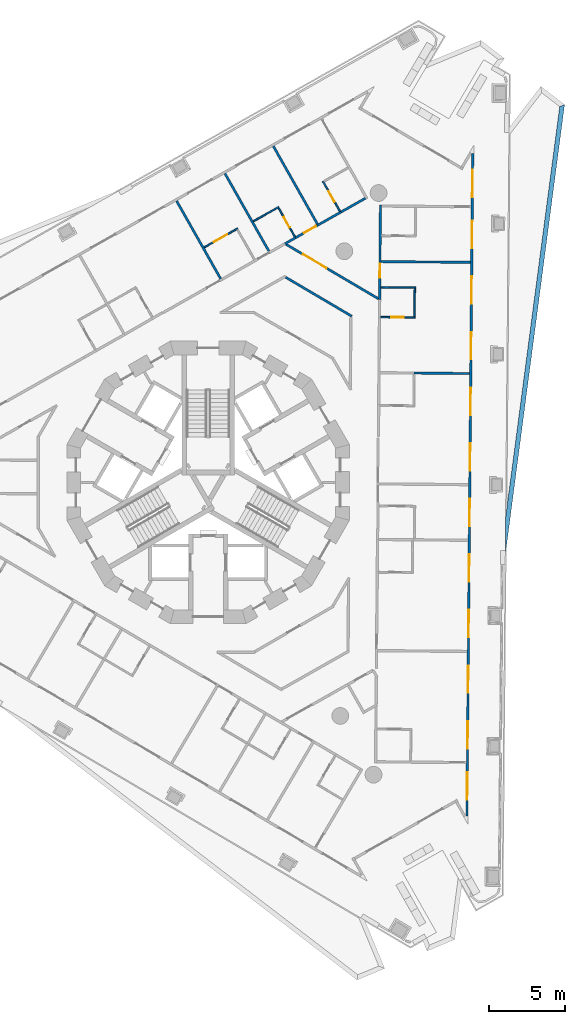
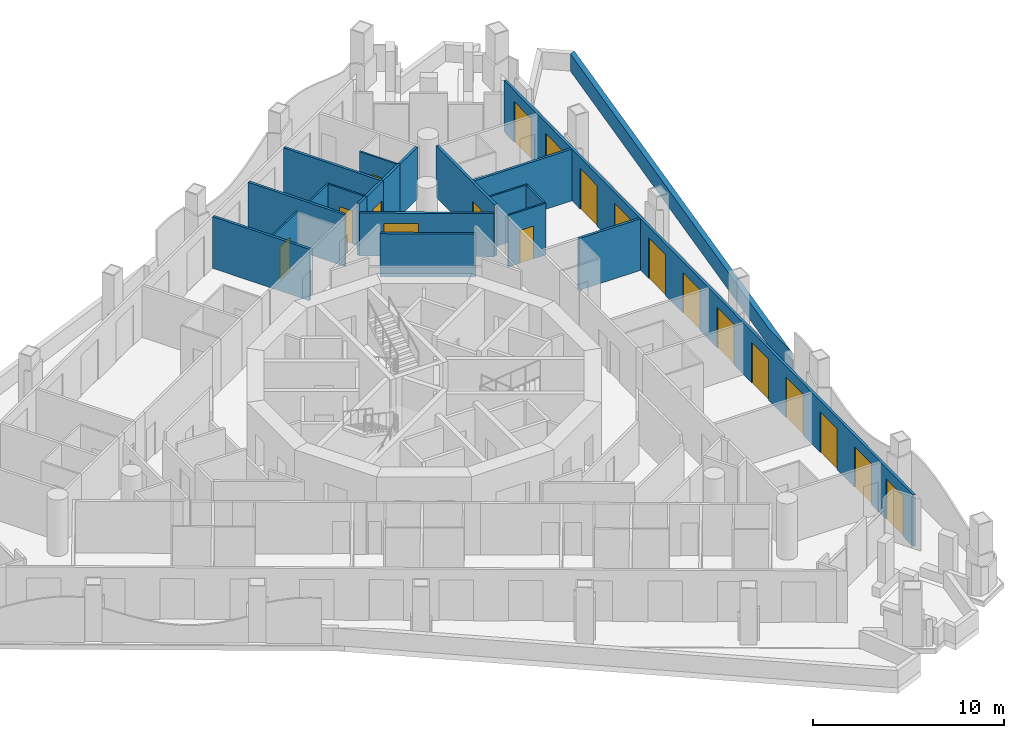
# One storey, part 9 of 18: 21 walls, 19 doors, 19 openings.
"""IFC4 building model written with IfcOpenShell, lengths in metres."""

from ifc_helpers import new_model, si_unit, direction, frame, frame_2d, origin, place, context, subcontext, project, spatial, polyline, rectangle, outline, extrude, material, layer, layer_set, type_object, element, fill, save


model = new_model("IFC4")

# Units and contexts
model_context = context("Model", 3, precision=1e-05, world=origin(), true_north=direction((0.0, 1.0)))
body_context = subcontext(model_context, "Body", "Model", "MODEL_VIEW")
ifc_project = project(units=[si_unit("LENGTHUNIT", "METRE"), si_unit("AREAUNIT", "SQUARE_METRE"), si_unit("VOLUMEUNIT", "CUBIC_METRE"), si_unit("PLANEANGLEUNIT", "RADIAN"), si_unit("MASSUNIT", "GRAM", prefix="KILO")], contexts=[model_context])

# Site, building, storey
site_placement = place(None, origin())
site = spatial("IfcSite", under=ifc_project, at=site_placement, CompositionType="ELEMENT")
building_placement = place(site_placement, origin())
building = spatial("IfcBuilding", under=site, at=building_placement, Name="Trine Commons Tower", CompositionType="ELEMENT")
storey_placement = place(building_placement, frame((0.0, 0.0, 161.10009765625)))
storey = spatial("IfcBuildingStorey", under=building, at=storey_placement, Name="L41", CompositionType="ELEMENT", Elevation=161.10009765625)

# Wall, openings, doors
ifc_material_1 = material(Name="Aluminium-framed insulated wall panel", Category="aluminium")
ifc_layer_1 = layer(ifc_material_1, 0.14990234375)
ifc_layer_set_1 = layer_set([ifc_layer_1], Name="Aluminium-framed insulated wall panel")
wall_type_1 = type_object("IfcWallType", Name="Glazed frame wall 150, EI 60", PredefinedType="SOLIDWALL", material=ifc_layer_set_1)
wall_1_placement = place(storey_placement, frame((97.36279296875, 84.232421875, 0.0), z_axis=(0.0, 0.0, 1.0), x_axis=(-0.00872447395, -0.999961941053, 0.0)))
wall_1 = element("IfcWall", 1, at=wall_1_placement, inside=storey, type_object=wall_type_1, Name="Glazed frame wall F2", PredefinedType="SOLIDWALL", context=body_context, shape_type="SweptSolid", body=[
    extrude(outline(polyline([(0.1494140625, 0.074951171875), (0.1494140625, -0.074951171875), (43.616943359375, -0.074951171875), (43.616943359375, 0.074951171875), (0.1494140625, 0.074951171875)])), origin(), (0.0, 0.0, 1.0), 3.2998046875),
])
opening_1_placement = place(wall_1_placement, frame((1.2236328125, 0.0, 0.0)))
opening_1 = element("IfcOpeningElement", 2, at=opening_1_placement, cuts=wall_1, Name="Opening BD-5F2-01", PredefinedType="OPENING", context=body_context, shape_type="SweptSolid", body=[
    extrude(rectangle(XDim=1.800048828125, YDim=2.60009765625, at=frame_2d((0.89990234375, 1.300048828125))), frame((0.0, 0.0849609375, 0.0), z_axis=(0.0, -1.0, 0.0), x_axis=(1.0, 0.0, 0.0)), (0.0, 0.0, 1.0), 0.169921875),
])
opening_2_placement = place(wall_1_placement, frame((4.57080078125, 0.0, 0.0)))
opening_2 = element("IfcOpeningElement", 3, at=opening_2_placement, cuts=wall_1, Name="Opening BD-5F2-02", PredefinedType="OPENING", context=body_context, shape_type="SweptSolid", body=[
    extrude(rectangle(XDim=1.800048828125, YDim=2.60009765625, at=frame_2d((0.89990234375, 1.300048828125))), frame((0.0, 0.0849609375, 0.0), z_axis=(0.0, -1.0, 0.0), x_axis=(1.0, 0.0, 0.0)), (0.0, 0.0, 1.0), 0.169921875),
])
opening_3_placement = place(wall_1_placement, frame((8.218017578125, 0.0, 0.0)))
opening_3 = element("IfcOpeningElement", 4, at=opening_3_placement, cuts=wall_1, Name="Opening BD-5F2-03", PredefinedType="OPENING", context=body_context, shape_type="SweptSolid", body=[
    extrude(rectangle(XDim=1.800048828125, YDim=2.60009765625, at=frame_2d((0.89990234375, 1.300048828125))), frame((0.0, 0.0849609375, 0.0), z_axis=(0.0, -1.0, 0.0), x_axis=(1.0, 0.0, 0.0)), (0.0, 0.0, 1.0), 0.169921875),
])
opening_4_placement = place(wall_1_placement, frame((11.865234375, 0.0, 0.0)))
opening_4 = element("IfcOpeningElement", 5, at=opening_4_placement, cuts=wall_1, Name="Opening BD-5F2-04", PredefinedType="OPENING", context=body_context, shape_type="SweptSolid", body=[
    extrude(rectangle(XDim=1.800048828125, YDim=2.60009765625, at=frame_2d((0.89990234375, 1.300048828125))), frame((0.0, 0.0849609375, 0.0), z_axis=(0.0, -1.0, 0.0), x_axis=(1.0, 0.0, 0.0)), (0.0, 0.0, 1.0), 0.169921875),
])
opening_5_placement = place(wall_1_placement, frame((15.512451171875, 0.0, 0.0)))
opening_5 = element("IfcOpeningElement", 6, at=opening_5_placement, cuts=wall_1, Name="Opening BD-5F2-05", PredefinedType="OPENING", context=body_context, shape_type="SweptSolid", body=[
    extrude(rectangle(XDim=1.800048828125, YDim=2.60009765625, at=frame_2d((0.89990234375, 1.300048828125))), frame((0.0, 0.0849609375, 0.0), z_axis=(0.0, -1.0, 0.0), x_axis=(1.0, 0.0, 0.0)), (0.0, 0.0, 1.0), 0.169921875),
])
opening_6_placement = place(wall_1_placement, frame((19.15966796875, 0.0, 0.0)))
opening_6 = element("IfcOpeningElement", 7, at=opening_6_placement, cuts=wall_1, Name="Opening BD-5F2-06", PredefinedType="OPENING", context=body_context, shape_type="SweptSolid", body=[
    extrude(rectangle(XDim=1.800048828125, YDim=2.60009765625, at=frame_2d((0.89990234375, 1.300048828125))), frame((0.0, 0.0849609375, 0.0), z_axis=(0.0, -1.0, 0.0), x_axis=(1.0, 0.0, 0.0)), (0.0, 0.0, 1.0), 0.169921875),
])
opening_7_placement = place(wall_1_placement, frame((22.806884765625, 0.0, 0.0)))
opening_7 = element("IfcOpeningElement", 8, at=opening_7_placement, cuts=wall_1, Name="Opening BD-5F2-07", PredefinedType="OPENING", context=body_context, shape_type="SweptSolid", body=[
    extrude(rectangle(XDim=1.800048828125, YDim=2.60009765625, at=frame_2d((0.89990234375, 1.300048828125))), frame((0.0, 0.0849609375, 0.0), z_axis=(0.0, -1.0, 0.0), x_axis=(1.0, 0.0, 0.0)), (0.0, 0.0, 1.0), 0.169921875),
])
opening_8_placement = place(wall_1_placement, frame((26.4541015625, 0.0, 0.0)))
opening_8 = element("IfcOpeningElement", 9, at=opening_8_placement, cuts=wall_1, Name="Opening BD-5F2-08", PredefinedType="OPENING", context=body_context, shape_type="SweptSolid", body=[
    extrude(rectangle(XDim=1.800048828125, YDim=2.60009765625, at=frame_2d((0.89990234375, 1.300048828125))), frame((0.0, 0.0849609375, 0.0), z_axis=(0.0, -1.0, 0.0), x_axis=(1.0, 0.0, 0.0)), (0.0, 0.0, 1.0), 0.169921875),
])
opening_9_placement = place(wall_1_placement, frame((30.101318359375, 0.0, 0.0)))
opening_9 = element("IfcOpeningElement", 10, at=opening_9_placement, cuts=wall_1, Name="Opening BD-5F2-09", PredefinedType="OPENING", context=body_context, shape_type="SweptSolid", body=[
    extrude(rectangle(XDim=1.800048828125, YDim=2.60009765625, at=frame_2d((0.89990234375, 1.300048828125))), frame((0.0, 0.0849609375, 0.0), z_axis=(0.0, -1.0, 0.0), x_axis=(1.0, 0.0, 0.0)), (0.0, 0.0, 1.0), 0.169921875),
])
opening_10_placement = place(wall_1_placement, frame((33.748291015625, 0.0, 0.0)))
opening_10 = element("IfcOpeningElement", 11, at=opening_10_placement, cuts=wall_1, Name="Opening BD-5F2-10", PredefinedType="OPENING", context=body_context, shape_type="SweptSolid", body=[
    extrude(rectangle(XDim=1.800048828125, YDim=2.60009765625, at=frame_2d((0.89990234375, 1.300048828125))), frame((0.0, 0.0849609375, 0.0), z_axis=(0.0, -1.0, 0.0), x_axis=(1.0, 0.0, 0.0)), (0.0, 0.0, 1.0), 0.169921875),
])
opening_11_placement = place(wall_1_placement, frame((37.3955078125, 0.0, 0.0)))
opening_11 = element("IfcOpeningElement", 12, at=opening_11_placement, cuts=wall_1, Name="Opening BD-5F2-11", PredefinedType="OPENING", context=body_context, shape_type="SweptSolid", body=[
    extrude(rectangle(XDim=1.800048828125, YDim=2.60009765625, at=frame_2d((0.89990234375, 1.300048828125))), frame((0.0, 0.0849609375, 0.0), z_axis=(0.0, -1.0, 0.0), x_axis=(1.0, 0.0, 0.0)), (0.0, 0.0, 1.0), 0.169921875),
])
opening_12_placement = place(wall_1_placement, frame((40.742919921875, 0.0, 0.0)))
opening_12 = element("IfcOpeningElement", 13, at=opening_12_placement, cuts=wall_1, Name="Opening BD-5F2-12", PredefinedType="OPENING", context=body_context, shape_type="SweptSolid", body=[
    extrude(rectangle(XDim=1.800048828125, YDim=2.60009765625, at=frame_2d((0.89990234375, 1.300048828125))), frame((0.0, 0.0849609375, 0.0), z_axis=(0.0, -1.0, 0.0), x_axis=(1.0, 0.0, 0.0)), (0.0, 0.0, 1.0), 0.169921875),
])
ifc_material_2 = material(Name="Anodised aluminium frame with double glazing", Category="aluminium")
door_type_1 = type_object("IfcDoorType", Name="Sliding loggia door 1800x2600", OperationType="SLIDING_TO_LEFT", PredefinedType="DOOR", material=ifc_material_2)
door_1_placement = place(opening_1_placement, origin())
door_1 = element("IfcDoor", 14, at=door_1_placement, inside=storey, type_object=door_type_1, Name="Loggia door F2 1", OperationType="SLIDING_TO_LEFT", OverallHeight=2.60009765625, OverallWidth=1.800048828125, PredefinedType="DOOR", context=body_context, shape_type="SweptSolid", body=[
    extrude(rectangle(XDim=1.800048828125, YDim=2.60009765625, at=frame_2d((0.89990234375, 1.300048828125))), frame((0.0, 0.02490234375, 0.0), z_axis=(0.0, -1.0, 0.0), x_axis=(1.0, 0.0, 0.0)), (0.0, 0.0, 1.0), 0.050048828125),
])
fill(opening_1, door_1)
door_2_placement = place(opening_2_placement, origin())
door_2 = element("IfcDoor", 15, at=door_2_placement, inside=storey, type_object=door_type_1, Name="Loggia door F2 2", OperationType="SLIDING_TO_LEFT", OverallHeight=2.60009765625, OverallWidth=1.800048828125, PredefinedType="DOOR", context=body_context, shape_type="SweptSolid", body=[
    extrude(rectangle(XDim=1.800048828125, YDim=2.60009765625, at=frame_2d((0.89990234375, 1.300048828125))), frame((0.0, 0.02490234375, 0.0), z_axis=(0.0, -1.0, 0.0), x_axis=(1.0, 0.0, 0.0)), (0.0, 0.0, 1.0), 0.050048828125),
])
fill(opening_2, door_2)
door_3_placement = place(opening_3_placement, origin())
door_3 = element("IfcDoor", 16, at=door_3_placement, inside=storey, type_object=door_type_1, Name="Loggia door F2 3", OperationType="SLIDING_TO_LEFT", OverallHeight=2.60009765625, OverallWidth=1.800048828125, PredefinedType="DOOR", context=body_context, shape_type="SweptSolid", body=[
    extrude(rectangle(XDim=1.800048828125, YDim=2.60009765625, at=frame_2d((0.89990234375, 1.300048828125))), frame((0.0, 0.02490234375, 0.0), z_axis=(0.0, -1.0, 0.0), x_axis=(1.0, 0.0, 0.0)), (0.0, 0.0, 1.0), 0.050048828125),
])
fill(opening_3, door_3)
door_4_placement = place(opening_4_placement, origin())
door_4 = element("IfcDoor", 17, at=door_4_placement, inside=storey, type_object=door_type_1, Name="Loggia door F2 4", OperationType="SLIDING_TO_LEFT", OverallHeight=2.60009765625, OverallWidth=1.800048828125, PredefinedType="DOOR", context=body_context, shape_type="SweptSolid", body=[
    extrude(rectangle(XDim=1.800048828125, YDim=2.60009765625, at=frame_2d((0.89990234375, 1.300048828125))), frame((0.0, 0.02490234375, 0.0), z_axis=(0.0, -1.0, 0.0), x_axis=(1.0, 0.0, 0.0)), (0.0, 0.0, 1.0), 0.050048828125),
])
fill(opening_4, door_4)
door_5_placement = place(opening_5_placement, origin())
door_5 = element("IfcDoor", 18, at=door_5_placement, inside=storey, type_object=door_type_1, Name="Loggia door F2 5", OperationType="SLIDING_TO_LEFT", OverallHeight=2.60009765625, OverallWidth=1.800048828125, PredefinedType="DOOR", context=body_context, shape_type="SweptSolid", body=[
    extrude(rectangle(XDim=1.800048828125, YDim=2.60009765625, at=frame_2d((0.89990234375, 1.300048828125))), frame((0.0, 0.02490234375, 0.0), z_axis=(0.0, -1.0, 0.0), x_axis=(1.0, 0.0, 0.0)), (0.0, 0.0, 1.0), 0.050048828125),
])
fill(opening_5, door_5)
door_6_placement = place(opening_6_placement, origin())
door_6 = element("IfcDoor", 19, at=door_6_placement, inside=storey, type_object=door_type_1, Name="Loggia door F2 6", OperationType="SLIDING_TO_LEFT", OverallHeight=2.60009765625, OverallWidth=1.800048828125, PredefinedType="DOOR", context=body_context, shape_type="SweptSolid", body=[
    extrude(rectangle(XDim=1.800048828125, YDim=2.60009765625, at=frame_2d((0.89990234375, 1.300048828125))), frame((0.0, 0.02490234375, 0.0), z_axis=(0.0, -1.0, 0.0), x_axis=(1.0, 0.0, 0.0)), (0.0, 0.0, 1.0), 0.050048828125),
])
fill(opening_6, door_6)
door_7_placement = place(opening_7_placement, origin())
door_7 = element("IfcDoor", 20, at=door_7_placement, inside=storey, type_object=door_type_1, Name="Loggia door F2 7", OperationType="SLIDING_TO_LEFT", OverallHeight=2.60009765625, OverallWidth=1.800048828125, PredefinedType="DOOR", context=body_context, shape_type="SweptSolid", body=[
    extrude(rectangle(XDim=1.800048828125, YDim=2.60009765625, at=frame_2d((0.89990234375, 1.300048828125))), frame((0.0, 0.02490234375, 0.0), z_axis=(0.0, -1.0, 0.0), x_axis=(1.0, 0.0, 0.0)), (0.0, 0.0, 1.0), 0.050048828125),
])
fill(opening_7, door_7)
door_8_placement = place(opening_8_placement, origin())
door_8 = element("IfcDoor", 21, at=door_8_placement, inside=storey, type_object=door_type_1, Name="Loggia door F2 8", OperationType="SLIDING_TO_LEFT", OverallHeight=2.60009765625, OverallWidth=1.800048828125, PredefinedType="DOOR", context=body_context, shape_type="SweptSolid", body=[
    extrude(rectangle(XDim=1.800048828125, YDim=2.60009765625, at=frame_2d((0.89990234375, 1.300048828125))), frame((0.0, 0.02490234375, 0.0), z_axis=(0.0, -1.0, 0.0), x_axis=(1.0, 0.0, 0.0)), (0.0, 0.0, 1.0), 0.050048828125),
])
fill(opening_8, door_8)
door_9_placement = place(opening_9_placement, origin())
door_9 = element("IfcDoor", 22, at=door_9_placement, inside=storey, type_object=door_type_1, Name="Loggia door F2 9", OperationType="SLIDING_TO_LEFT", OverallHeight=2.60009765625, OverallWidth=1.800048828125, PredefinedType="DOOR", context=body_context, shape_type="SweptSolid", body=[
    extrude(rectangle(XDim=1.800048828125, YDim=2.60009765625, at=frame_2d((0.89990234375, 1.300048828125))), frame((0.0, 0.02490234375, 0.0), z_axis=(0.0, -1.0, 0.0), x_axis=(1.0, 0.0, 0.0)), (0.0, 0.0, 1.0), 0.050048828125),
])
fill(opening_9, door_9)
door_10_placement = place(opening_10_placement, origin())
door_10 = element("IfcDoor", 23, at=door_10_placement, inside=storey, type_object=door_type_1, Name="Loggia door F2 10", OperationType="SLIDING_TO_LEFT", OverallHeight=2.60009765625, OverallWidth=1.800048828125, PredefinedType="DOOR", context=body_context, shape_type="SweptSolid", body=[
    extrude(rectangle(XDim=1.800048828125, YDim=2.60009765625, at=frame_2d((0.89990234375, 1.300048828125))), frame((0.0, 0.02490234375, 0.0), z_axis=(0.0, -1.0, 0.0), x_axis=(1.0, 0.0, 0.0)), (0.0, 0.0, 1.0), 0.050048828125),
])
fill(opening_10, door_10)
door_11_placement = place(opening_11_placement, origin())
door_11 = element("IfcDoor", 24, at=door_11_placement, inside=storey, type_object=door_type_1, Name="Loggia door F2 11", OperationType="SLIDING_TO_LEFT", OverallHeight=2.60009765625, OverallWidth=1.800048828125, PredefinedType="DOOR", context=body_context, shape_type="SweptSolid", body=[
    extrude(rectangle(XDim=1.800048828125, YDim=2.60009765625, at=frame_2d((0.89990234375, 1.300048828125))), frame((0.0, 0.02490234375, 0.0), z_axis=(0.0, -1.0, 0.0), x_axis=(1.0, 0.0, 0.0)), (0.0, 0.0, 1.0), 0.050048828125),
])
fill(opening_11, door_11)
door_12_placement = place(opening_12_placement, origin())
door_12 = element("IfcDoor", 25, at=door_12_placement, inside=storey, type_object=door_type_1, Name="Loggia door F2 12", OperationType="SLIDING_TO_LEFT", OverallHeight=2.60009765625, OverallWidth=1.800048828125, PredefinedType="DOOR", context=body_context, shape_type="SweptSolid", body=[
    extrude(rectangle(XDim=1.800048828125, YDim=2.60009765625, at=frame_2d((0.89990234375, 1.300048828125))), frame((0.0, 0.02490234375, 0.0), z_axis=(0.0, -1.0, 0.0), x_axis=(1.0, 0.0, 0.0)), (0.0, 0.0, 1.0), 0.050048828125),
])
fill(opening_12, door_12)

# Walls
ifc_material_3 = material(Name="Limestone, honed", Category="masonry")
ifc_layer_2 = layer(ifc_material_3, 0.300048828125)
ifc_layer_set_2 = layer_set([ifc_layer_2], Name="Limestone, honed")
wall_type_2 = type_object("IfcWallType", Name="Stone parapet 300", PredefinedType="PARAPET", material=ifc_layer_set_2)
wall_2_placement = place(storey_placement, origin())
element("IfcWall", 26, at=wall_2_placement, inside=storey, type_object=wall_type_2, Name="Sliver roof parapet L40 6.1", PredefinedType="PARAPET", context=body_context, shape_type="SweptSolid", body=[
    extrude(outline(polyline([(99.49658203125, 57.7236328125), (103.38916015625, 87.291015625), (103.069091796875, 87.158447265625), (99.51806640625, 60.185302734375), (99.51806640625, 60.185302734375), (99.49658203125, 57.7236328125)])), origin(), (0.0, 0.0, 1.0), 1.099853515625),
])
ifc_material_4 = material(Name="Gypsum plasterboard on steel stud", Category="steel")
ifc_layer_3 = layer(ifc_material_4, 0.14990234375)
ifc_layer_set_3 = layer_set([ifc_layer_3], Name="Gypsum plasterboard on steel stud")
wall_type_3 = type_object("IfcWallType", Name="Unit and corridor wall 150 mm, EI 60", PredefinedType="PARTITIONING", material=ifc_layer_set_3)
wall_3_placement = place(storey_placement, frame((77.9296875, 80.97314453125, 0.0), z_axis=(0.0, 0.0, 1.0), x_axis=(0.4923790567, -0.870380873252, 0.0)))
element("IfcWall", 27, at=wall_3_placement, inside=storey, type_object=wall_type_3, Name="Partition 062", PredefinedType="PARTITIONING", context=body_context, shape_type="SweptSolid", body=[
    extrude(rectangle(XDim=5.874267578125, YDim=0.14990234375, at=frame_2d((2.93701171875, 0.0))), origin(), (0.0, 0.0, 1.0), 3.2998046875),
])
wall_4_placement = place(storey_placement, frame((81.103759765625, 82.769287109375, 0.0), z_axis=(0.0, 0.0, 1.0), x_axis=(0.492361245758, -0.870390948756, 0.0)))
element("IfcWall", 28, at=wall_4_placement, inside=storey, type_object=wall_type_3, Name="Partition 072", PredefinedType="PARTITIONING", context=body_context, shape_type="SweptSolid", body=[
    extrude(rectangle(XDim=5.87451171875, YDim=0.14990234375, at=frame_2d((2.937255859375, 0.0))), origin(), (0.0, 0.0, 1.0), 3.2998046875),
])
wall_5_placement = place(storey_placement, frame((84.27880859375, 84.565185546875, 0.0), z_axis=(0.0, 0.0, 1.0), x_axis=(0.4923790567, -0.870380873252, 0.0)))
element("IfcWall", 29, at=wall_5_placement, inside=storey, type_object=wall_type_3, Name="Partition 082", PredefinedType="PARTITIONING", context=body_context, shape_type="SweptSolid", body=[
    extrude(rectangle(XDim=5.874267578125, YDim=0.14990234375, at=frame_2d((2.93701171875, 0.0))), origin(), (0.0, 0.0, 1.0), 3.2998046875),
])
wall_6_placement = place(storey_placement, frame((85.089599609375, 75.9599609375, 0.0), z_axis=(0.0, 0.0, 1.0), x_axis=(0.861605399292, -0.507578699229, 0.0)))
element("IfcWall", 30, at=wall_6_placement, inside=storey, type_object=wall_type_3, Name="Partition 087", PredefinedType="PARTITIONING", context=body_context, shape_type="SweptSolid", body=[
    extrude(rectangle(XDim=5.041748046875, YDim=0.14990234375, at=frame_2d((2.52099609375, 0.0))), origin(), (0.0, 0.0, 1.0), 2.75),
])
wall_7_placement = place(storey_placement, frame((85.0439453125, 78.1630859375, 0.0), z_axis=(0.0, 0.0, 1.0), x_axis=(0.870602999544, 0.491986196133, 0.0)))
element("IfcWall", 31, at=wall_7_placement, inside=storey, type_object=wall_type_3, Name="Partition 088", PredefinedType="PARTITIONING", context=body_context, shape_type="SweptSolid", body=[
    extrude(rectangle(XDim=0.79248046875, YDim=0.14990234375, at=frame_2d((0.396240234375, 0.0))), origin(), (0.0, 0.0, 1.0), 3.2998046875),
])

# Wall, opening, door
wall_8_placement = place(storey_placement, frame((85.108642578125, 78.125, 0.0), z_axis=(0.0, 0.0, 1.0), x_axis=(0.861598717736, -0.507590040875, 0.0)))
wall_8 = element("IfcWall", 32, at=wall_8_placement, inside=storey, type_object=wall_type_3, Name="Partition 089", PredefinedType="PARTITIONING", context=body_context, shape_type="SweptSolid", body=[
    extrude(rectangle(XDim=7.056396484375, YDim=0.14990234375, at=frame_2d((3.5283203125, 0.0))), origin(), (0.0, 0.0, 1.0), 2.75),
])
opening_13_placement = place(wall_8_placement, frame((1.29296875, 0.0, 0.0)))
opening_13 = element("IfcOpeningElement", 33, at=opening_13_placement, cuts=wall_8, Name="Opening D-5A01", PredefinedType="OPENING", context=body_context, shape_type="SweptSolid", body=[
    extrude(rectangle(XDim=1.800048828125, YDim=2.10009765625, at=frame_2d((0.89990234375, 1.050048828125))), frame((0.0, 0.0849609375, 0.0), z_axis=(0.0, -1.0, 0.0), x_axis=(1.0, 0.0, 0.0)), (0.0, 0.0, 1.0), 0.169921875),
])
ifc_material_5 = material(Name="Timber fire door set", Category="wood")
door_type_2 = type_object("IfcDoorType", Name="Cluster entrance door 1800 x 2100, double leaf, FD30S", OperationType="DOUBLE_DOOR_DOUBLE_SWING", PredefinedType="DOOR", material=ifc_material_5)
door_13_placement = place(opening_13_placement, origin())
door_13 = element("IfcDoor", 34, at=door_13_placement, inside=storey, type_object=door_type_2, Name="Door D-5A01", OperationType="DOUBLE_DOOR_DOUBLE_SWING", OverallHeight=2.10009765625, OverallWidth=1.800048828125, PredefinedType="DOOR", context=body_context, shape_type="SweptSolid", body=[
    extrude(rectangle(XDim=1.800048828125, YDim=2.10009765625, at=frame_2d((0.89990234375, 1.050048828125))), frame((0.0, 0.02490234375, 0.0), z_axis=(0.0, -1.0, 0.0), x_axis=(1.0, 0.0, 0.0)), (0.0, 0.0, 1.0), 0.050048828125),
])
fill(opening_13, door_13)

wall_9_placement = place(storey_placement, frame((85.72802734375, 78.550048828125, 0.0), z_axis=(0.0, 0.0, 1.0), x_axis=(0.870461194111, 0.492237046093, 0.0)))
wall_9 = element("IfcWall", 35, at=wall_9_placement, inside=storey, type_object=wall_type_3, Name="Partition 090", PredefinedType="PARTITIONING", context=body_context, shape_type="SweptSolid", body=[
    extrude(rectangle(XDim=1.7001953125, YDim=0.14990234375, at=frame_2d((0.85009765625, 0.0))), origin(), (0.0, 0.0, 1.0), 3.2998046875),
])
opening_14_placement = place(wall_9_placement, frame((0.650146484375, 0.0, 0.0)))
opening_14 = element("IfcOpeningElement", 36, at=opening_14_placement, cuts=wall_9, Name="Opening D-5A11", PredefinedType="OPENING", context=body_context, shape_type="SweptSolid", body=[
    extrude(rectangle(XDim=0.89990234375, YDim=2.10009765625, at=frame_2d((0.449951171875, 1.050048828125))), frame((0.0, 0.0849609375, 0.0), z_axis=(0.0, -1.0, 0.0), x_axis=(1.0, 0.0, 0.0)), (0.0, 0.0, 1.0), 0.169921875),
])
door_type_3 = type_object("IfcDoorType", Name="Bedroom door 900 x 2100, FD30S", OperationType="NOTDEFINED", PredefinedType="DOOR", material=ifc_material_5)
door_14_placement = place(opening_14_placement, origin())
door_14 = element("IfcDoor", 37, at=door_14_placement, inside=storey, type_object=door_type_3, Name="Door D-5A11", OperationType="SINGLE_SWING_RIGHT", OverallHeight=2.10009765625, OverallWidth=0.89990234375, PredefinedType="DOOR", context=body_context, shape_type="SweptSolid", body=[
    extrude(rectangle(XDim=0.89990234375, YDim=2.10009765625, at=frame_2d((0.449951171875, 1.050048828125))), frame((0.0, 0.02490234375, 0.0), z_axis=(0.0, -1.0, 0.0), x_axis=(1.0, 0.0, 0.0)), (0.0, 0.0, 1.0), 0.050048828125),
])
fill(opening_14, door_14)

# Walls
wall_10_placement = place(storey_placement, frame((87.2080078125, 79.386962890625, 0.0), z_axis=(0.0, 0.0, 1.0), x_axis=(0.87020157879, 0.492695861837, 0.0)))
element("IfcWall", 38, at=wall_10_placement, inside=storey, type_object=wall_type_3, Name="Partition 095", PredefinedType="PARTITIONING", context=body_context, shape_type="SweptSolid", body=[
    extrude(rectangle(XDim=1.750732421875, YDim=0.14990234375, at=frame_2d((0.87548828125, 0.0))), origin(), (0.0, 0.0, 1.0), 3.2998046875),
])
wall_11_placement = place(storey_placement, frame((88.681884765625, 80.220947265625, 0.0), z_axis=(0.0, 0.0, 1.0), x_axis=(0.870323079534, 0.492481204951, 0.0)))
element("IfcWall", 39, at=wall_11_placement, inside=storey, type_object=wall_type_3, Name="Partition 103", PredefinedType="PARTITIONING", context=body_context, shape_type="SweptSolid", body=[
    extrude(rectangle(XDim=1.87841796875, YDim=0.14990234375, at=frame_2d((0.939208984375, 0.0))), origin(), (0.0, 0.0, 1.0), 3.2998046875),
])

# Wall, opening, door
wall_12_placement = place(storey_placement, frame((91.2529296875, 74.5048828125, 0.0), z_axis=(0.0, 0.0, 1.0), x_axis=(0.008808844939, 0.999961201373, 0.0)))
wall_12 = element("IfcWall", 40, at=wall_12_placement, inside=storey, type_object=wall_type_3, Name="Partition 128", PredefinedType="PARTITIONING", context=body_context, shape_type="SweptSolid", body=[
    extrude(rectangle(XDim=6.208251953125, YDim=0.14990234375, at=frame_2d((3.10400390625, 0.0))), origin(), (0.0, 0.0, 1.0), 3.2998046875),
])
opening_15_placement = place(wall_12_placement, frame((1.43603515625, 0.0, 0.0)))
opening_15 = element("IfcOpeningElement", 41, at=opening_15_placement, cuts=wall_12, Name="Opening D-5A14", PredefinedType="OPENING", context=body_context, shape_type="SweptSolid", body=[
    extrude(rectangle(XDim=0.89990234375, YDim=2.10009765625, at=frame_2d((0.449951171875, 1.050048828125))), frame((0.0, 0.0849609375, 0.0), z_axis=(0.0, -1.0, 0.0), x_axis=(1.0, 0.0, 0.0)), (0.0, 0.0, 1.0), 0.169921875),
])
door_15_placement = place(opening_15_placement, frame((0.89990234375, 0.0, 0.0), z_axis=(0.0, 0.0, 1.0), x_axis=(-1.0, 0.0, 0.0)))
door_15 = element("IfcDoor", 42, at=door_15_placement, inside=storey, type_object=door_type_3, Name="Door D-5A14", OperationType="SINGLE_SWING_RIGHT", OverallHeight=2.10009765625, OverallWidth=0.89990234375, PredefinedType="DOOR", context=body_context, shape_type="SweptSolid", body=[
    extrude(rectangle(XDim=0.89990234375, YDim=2.10009765625, at=frame_2d((0.449951171875, 1.050048828125))), frame((0.0, 0.02490234375, 0.0), z_axis=(0.0, -1.0, 0.0), x_axis=(1.0, 0.0, 0.0)), (0.0, 0.0, 1.0), 0.050048828125),
])
fill(opening_15, door_15)

# Walls
wall_13_placement = place(storey_placement, frame((91.35009765625, 76.990234375, 0.0), z_axis=(0.0, 0.0, 1.0), x_axis=(0.999962273479, -0.008686289076, 0.0)))
element("IfcWall", 43, at=wall_13_placement, inside=storey, type_object=wall_type_3, Name="Partition 130", PredefinedType="PARTITIONING", context=body_context, shape_type="SweptSolid", body=[
    extrude(rectangle(XDim=5.874267578125, YDim=0.14990234375, at=frame_2d((2.93701171875, 0.0))), origin(), (0.0, 0.0, 1.0), 3.2998046875),
])
wall_14_placement = place(storey_placement, frame((93.4609375, 69.677490234375, 0.0), z_axis=(0.0, 0.0, 1.0), x_axis=(0.999959736668, -0.008973574674, 0.0)))
element("IfcWall", 44, at=wall_14_placement, inside=storey, type_object=wall_type_3, Name="Partition 136", PredefinedType="PARTITIONING", context=body_context, shape_type="SweptSolid", body=[
    extrude(rectangle(XDim=3.7001953125, YDim=0.14990234375, at=frame_2d((1.85009765625, 0.0))), origin(), (0.0, 0.0, 1.0), 3.2998046875),
])

# Wall, opening, door
ifc_layer_4 = layer(ifc_material_4, 0.10009765625)
ifc_layer_set_4 = layer_set([ifc_layer_4], Name="Gypsum plasterboard on steel stud")
wall_type_4 = type_object("IfcWallType", Name="Unit partition 100 mm, no rating", PredefinedType="PARTITIONING", material=ifc_layer_set_4)
wall_15_placement = place(storey_placement, frame((79.7421875, 77.9208984375, 0.0), z_axis=(0.0, 0.0, 1.0), x_axis=(0.870364731179, 0.49240759003, 0.0)))
wall_15 = element("IfcWall", 45, at=wall_15_placement, inside=storey, type_object=wall_type_4, Name="Partition 063", PredefinedType="PARTITIONING", context=body_context, shape_type="SweptSolid", body=[
    extrude(rectangle(XDim=2.525634765625, YDim=0.10009765625, at=frame_2d((1.2626953125, 0.0))), origin(), (0.0, 0.0, 1.0), 3.2998046875),
])
opening_16_placement = place(wall_15_placement, frame((0.73779296875, 0.0, 0.0)))
opening_16 = element("IfcOpeningElement", 46, at=opening_16_placement, cuts=wall_15, Name="Opening D-5A35", PredefinedType="OPENING", context=body_context, shape_type="SweptSolid", body=[
    extrude(rectangle(XDim=1.0, YDim=2.10009765625, at=frame_2d((0.5, 1.050048828125))), frame((0.0, 0.06005859375, 0.0), z_axis=(0.0, -1.0, 0.0), x_axis=(1.0, 0.0, 0.0)), (0.0, 0.0, 1.0), 0.1201171875),
])
ifc_material_6 = material(Name="Painted timber", Category="wood")
door_type_4 = type_object("IfcDoorType", Name="Internal door 1000 x 2100, NOT RATED", OperationType="NOTDEFINED", PredefinedType="DOOR", material=ifc_material_6)
door_16_placement = place(opening_16_placement, origin())
door_16 = element("IfcDoor", 47, at=door_16_placement, inside=storey, type_object=door_type_4, Name="Door D-5A35", OperationType="SINGLE_SWING_LEFT", OverallHeight=2.10009765625, OverallWidth=1.0, PredefinedType="DOOR", context=body_context, shape_type="SweptSolid", body=[
    extrude(rectangle(XDim=1.0, YDim=2.10009765625, at=frame_2d((0.5, 1.050048828125))), frame((0.0, 0.02490234375, 0.0), z_axis=(0.0, -1.0, 0.0), x_axis=(1.0, 0.0, 0.0)), (0.0, 0.0, 1.0), 0.050048828125),
])
fill(opening_16, door_16)

# Wall
wall_16_placement = place(storey_placement, frame((82.96630859375, 79.6298828125, 0.0), z_axis=(0.0, 0.0, 1.0), x_axis=(0.870373787042, 0.492391582818, 0.0)))
element("IfcWall", 48, at=wall_16_placement, inside=storey, type_object=wall_type_4, Name="Partition 077", PredefinedType="PARTITIONING", context=body_context, shape_type="SweptSolid", body=[
    extrude(rectangle(XDim=1.9248046875, YDim=0.10009765625, at=frame_2d((0.96240234375, 0.0))), origin(), (0.0, 0.0, 1.0), 3.2998046875),
])

# Wall, opening, door
wall_17_placement = place(storey_placement, frame((84.62255859375, 80.509521484375, 0.0), z_axis=(0.0, 0.0, 1.0), x_axis=(0.492545299704, -0.870286807748, 0.0)))
wall_17 = element("IfcWall", 49, at=wall_17_placement, inside=storey, type_object=wall_type_4, Name="Partition 084", PredefinedType="PARTITIONING", context=body_context, shape_type="SweptSolid", body=[
    extrude(rectangle(XDim=2.175537109375, YDim=0.10009765625, at=frame_2d((1.087890625, 0.0))), origin(), (0.0, 0.0, 1.0), 3.2998046875),
])
opening_17_placement = place(wall_17_placement, frame((0.6875, 0.0, 0.0)))
opening_17 = element("IfcOpeningElement", 50, at=opening_17_placement, cuts=wall_17, Name="Opening D-5A36", PredefinedType="OPENING", context=body_context, shape_type="SweptSolid", body=[
    extrude(rectangle(XDim=0.800048828125, YDim=2.10009765625, at=frame_2d((0.39990234375, 1.050048828125))), frame((0.0, 0.06005859375, 0.0), z_axis=(0.0, -1.0, 0.0), x_axis=(1.0, 0.0, 0.0)), (0.0, 0.0, 1.0), 0.1201171875),
])
door_type_5 = type_object("IfcDoorType", Name="Internal door 800 x 2100, NOT RATED", OperationType="NOTDEFINED", PredefinedType="DOOR", material=ifc_material_6)
door_17_placement = place(opening_17_placement, origin())
door_17 = element("IfcDoor", 51, at=door_17_placement, inside=storey, type_object=door_type_5, Name="Door D-5A36", OperationType="SINGLE_SWING_LEFT", OverallHeight=2.10009765625, OverallWidth=0.800048828125, PredefinedType="DOOR", context=body_context, shape_type="SweptSolid", body=[
    extrude(rectangle(XDim=0.800048828125, YDim=2.10009765625, at=frame_2d((0.39990234375, 1.050048828125))), frame((0.0, 0.02490234375, 0.0), z_axis=(0.0, -1.0, 0.0), x_axis=(1.0, 0.0, 0.0)), (0.0, 0.0, 1.0), 0.050048828125),
])
fill(opening_17, door_17)

wall_18_placement = place(storey_placement, frame((87.52734375, 82.267578125, 0.0), z_axis=(0.0, 0.0, 1.0), x_axis=(0.492690247552, -0.870204757495, 0.0)))
wall_18 = element("IfcWall", 52, at=wall_18_placement, inside=storey, type_object=wall_type_4, Name="Partition 097", PredefinedType="PARTITIONING", context=body_context, shape_type="SweptSolid", body=[
    extrude(rectangle(XDim=2.2744140625, YDim=0.10009765625, at=frame_2d((1.13720703125, 0.0))), origin(), (0.0, 0.0, 1.0), 3.2998046875),
])
opening_18_placement = place(wall_18_placement, frame((0.76220703125, 0.0, 0.0)))
opening_18 = element("IfcOpeningElement", 53, at=opening_18_placement, cuts=wall_18, Name="Opening D-5A37", PredefinedType="OPENING", context=body_context, shape_type="SweptSolid", body=[
    extrude(rectangle(XDim=0.800048828125, YDim=2.10009765625, at=frame_2d((0.39990234375, 1.050048828125))), frame((0.0, 0.06005859375, 0.0), z_axis=(0.0, -1.0, 0.0), x_axis=(1.0, 0.0, 0.0)), (0.0, 0.0, 1.0), 0.1201171875),
])
door_18_placement = place(opening_18_placement, frame((0.800048828125, 0.0, 0.0), z_axis=(0.0, 0.0, 1.0), x_axis=(-1.0, 0.0, 0.0)))
door_18 = element("IfcDoor", 54, at=door_18_placement, inside=storey, type_object=door_type_5, Name="Door D-5A37", OperationType="SINGLE_SWING_LEFT", OverallHeight=2.10009765625, OverallWidth=0.800048828125, PredefinedType="DOOR", context=body_context, shape_type="SweptSolid", body=[
    extrude(rectangle(XDim=0.800048828125, YDim=2.10009765625, at=frame_2d((0.39990234375, 1.050048828125))), frame((0.0, 0.02490234375, 0.0), z_axis=(0.0, -1.0, 0.0), x_axis=(1.0, 0.0, 0.0)), (0.0, 0.0, 1.0), 0.050048828125),
])
fill(opening_18, door_18)

wall_19_placement = place(storey_placement, frame((91.318115234375, 73.34326171875, 0.0), z_axis=(0.0, 0.0, 1.0), x_axis=(0.999962219299, -0.008692524121, 0.0)))
wall_19 = element("IfcWall", 55, at=wall_19_placement, inside=storey, type_object=wall_type_4, Name="Partition 127", PredefinedType="PARTITIONING", context=body_context, shape_type="SweptSolid", body=[
    extrude(rectangle(XDim=2.27490234375, YDim=0.10009765625, at=frame_2d((1.137451171875, 0.0))), origin(), (0.0, 0.0, 1.0), 3.2998046875),
])
opening_19_placement = place(wall_19_placement, frame((0.71240234375, 0.0, 0.0)))
opening_19 = element("IfcOpeningElement", 56, at=opening_19_placement, cuts=wall_19, Name="Opening D-5A39", PredefinedType="OPENING", context=body_context, shape_type="SweptSolid", body=[
    extrude(rectangle(XDim=0.800048828125, YDim=2.10009765625, at=frame_2d((0.39990234375, 1.050048828125))), frame((0.0, 0.06005859375, 0.0), z_axis=(0.0, -1.0, 0.0), x_axis=(1.0, 0.0, 0.0)), (0.0, 0.0, 1.0), 0.1201171875),
])
door_19_placement = place(opening_19_placement, frame((0.800048828125, 0.0, 0.0), z_axis=(0.0, 0.0, 1.0), x_axis=(-1.0, 0.0, 0.0)))
door_19 = element("IfcDoor", 57, at=door_19_placement, inside=storey, type_object=door_type_5, Name="Door D-5A39", OperationType="SINGLE_SWING_RIGHT", OverallHeight=2.10009765625, OverallWidth=0.800048828125, PredefinedType="DOOR", context=body_context, shape_type="SweptSolid", body=[
    extrude(rectangle(XDim=0.800048828125, YDim=2.10009765625, at=frame_2d((0.39990234375, 1.050048828125))), frame((0.0, 0.02490234375, 0.0), z_axis=(0.0, -1.0, 0.0), x_axis=(1.0, 0.0, 0.0)), (0.0, 0.0, 1.0), 0.050048828125),
])
fill(opening_19, door_19)

# Walls
wall_20_placement = place(storey_placement, frame((91.3349609375, 75.293212890625, 0.0), z_axis=(0.0, 0.0, 1.0), x_axis=(0.999963154254, -0.008584295776, 0.0)))
element("IfcWall", 58, at=wall_20_placement, inside=storey, type_object=wall_type_4, Name="Partition 129", PredefinedType="PARTITIONING", context=body_context, shape_type="SweptSolid", body=[
    extrude(rectangle(XDim=2.275146484375, YDim=0.10009765625, at=frame_2d((1.1376953125, 0.0))), origin(), (0.0, 0.0, 1.0), 3.2998046875),
])
wall_21_placement = place(storey_placement, frame((93.54345703125, 73.3740234375, 0.0), z_axis=(0.0, 0.0, 1.0), x_axis=(0.008709091707, 0.999962075142, 0.0)))
element("IfcWall", 59, at=wall_21_placement, inside=storey, type_object=wall_type_4, Name="Partition 139", PredefinedType="PARTITIONING", context=body_context, shape_type="SweptSolid", body=[
    extrude(rectangle(XDim=1.85009765625, YDim=0.10009765625, at=frame_2d((0.925048828125, 0.0))), origin(), (0.0, 0.0, 1.0), 3.2998046875),
])

save(model, "model.ifc")
